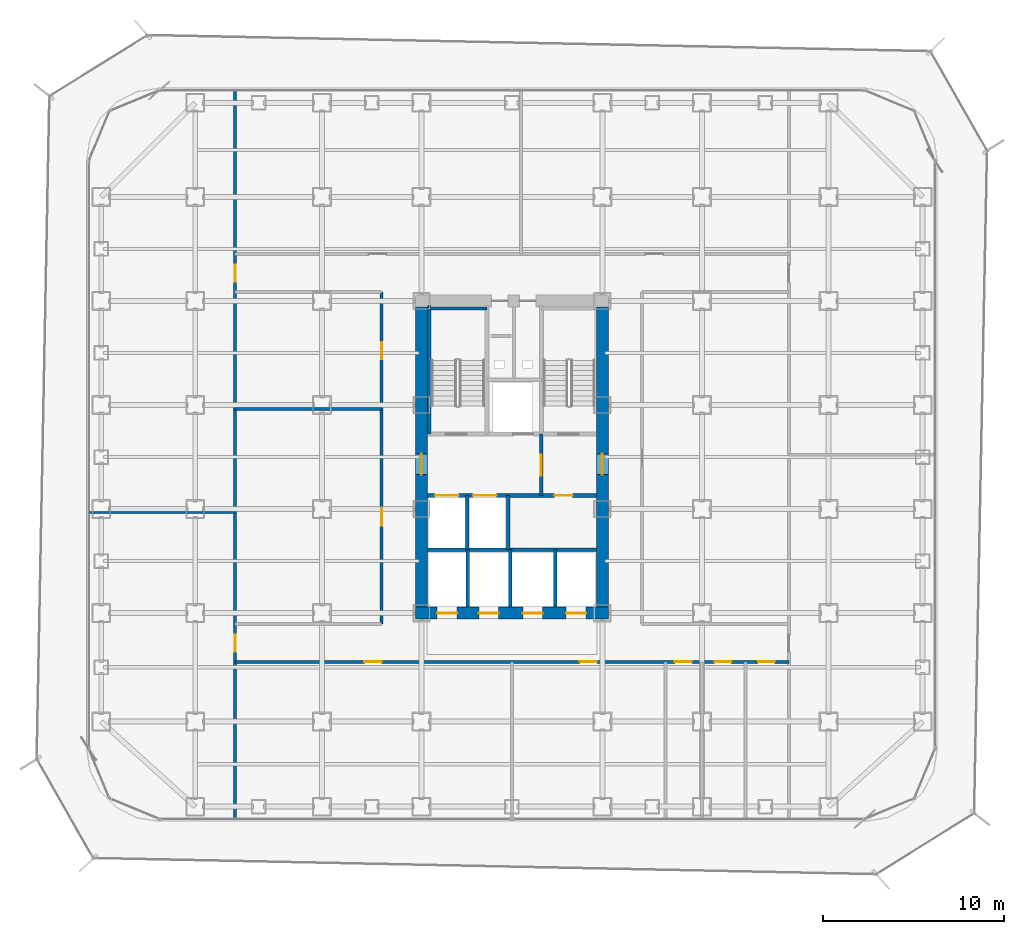
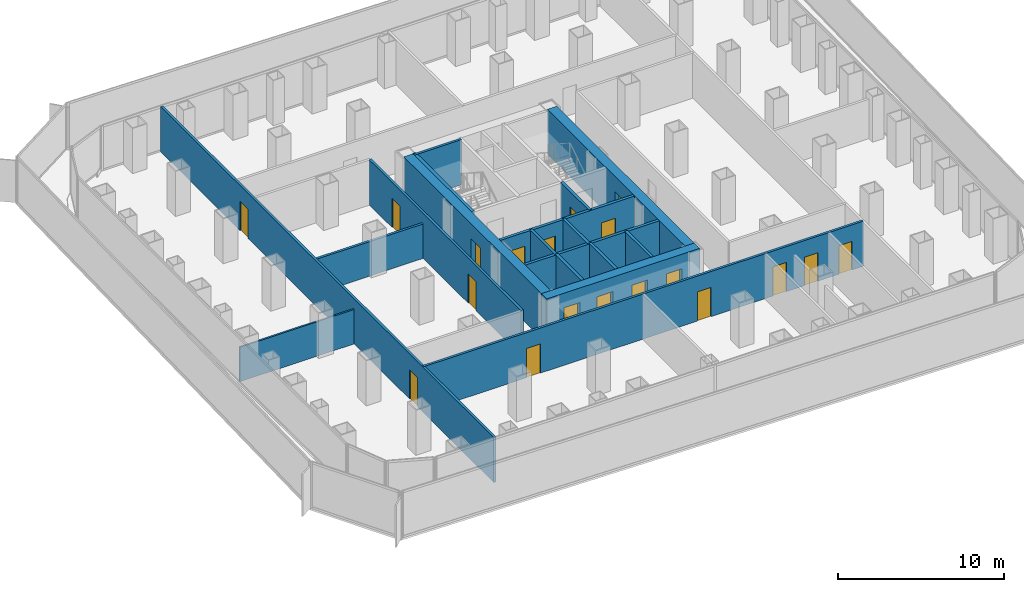
# One storey, part 17 of 21: 19 doors, 18 walls, 19 openings.
"""IFC4 building model written with IfcOpenShell, lengths in metres."""

from ifc_helpers import new_model, si_unit, direction, frame, frame_2d, origin, place, context, subcontext, project, spatial, rectangle, extrude, material, layer, layer_set, type_object, element, fill, save


model = new_model("IFC4")

# Units and contexts
model_context = context("Model", 3, precision=1e-05, world=origin(), true_north=direction((0.0, 1.0)))
body_context = subcontext(model_context, "Body", "Model", "MODEL_VIEW")
ifc_project = project(units=[si_unit("LENGTHUNIT", "METRE"), si_unit("AREAUNIT", "SQUARE_METRE"), si_unit("VOLUMEUNIT", "CUBIC_METRE"), si_unit("PLANEANGLEUNIT", "RADIAN"), si_unit("MASSUNIT", "GRAM", prefix="KILO")], contexts=[model_context])

# Site, building, storey
site_placement = place(None, origin())
site = spatial("IfcSite", under=ifc_project, at=site_placement, CompositionType="ELEMENT")
building_placement = place(site_placement, origin())
building = spatial("IfcBuilding", under=site, at=building_placement, Name="Kolveth Station Tower", CompositionType="ELEMENT")
storey_placement = place(building_placement, frame((0.0, 0.0, 26.10009765625)))
storey = spatial("IfcBuildingStorey", under=building, at=storey_placement, Name="L06", CompositionType="ELEMENT", Elevation=26.10009765625)

# Wall, openings, doors
ifc_material_1 = material(Name="Concrete C60/75", Category="concrete")
ifc_layer_1 = layer(ifc_material_1, 0.64990234375)
ifc_layer_set_1 = layer_set([ifc_layer_1], Name="Concrete C60/75")
wall_type_1 = type_object("IfcWallType", Name="Wall_CW-650", PredefinedType="SHEAR", material=ifc_layer_set_1)
wall_1_placement = place(storey_placement, frame((18.175048828125, 11.5, 0.0), z_axis=(0.0, 0.0, 1.0), x_axis=(1.0, 0.0, 0.0)))
wall_1 = element("IfcWall", 1, at=wall_1_placement, inside=storey, type_object=wall_type_1, Name="L06 Core RC Shear Wall S", PredefinedType="SHEAR", context=body_context, shape_type="SweptSolid", body=[
    extrude(rectangle(XDim=10.64990234375, YDim=0.64990234375, at=frame_2d((5.324951171875, 0.0))), origin(), (0.0, 0.0, 1.0), 3.31982421875),
])
opening_1_placement = place(wall_1_placement, frame((1.195068359375, 0.0, 0.0)))
opening_1 = element("IfcOpeningElement", 2, at=opening_1_placement, cuts=wall_1, Name="Opening LD1", PredefinedType="OPENING", context=body_context, shape_type="SweptSolid", body=[
    extrude(rectangle(XDim=1.10009765625, YDim=2.25, at=frame_2d((0.550048828125, 1.125))), frame((0.0, 0.3349609375, 0.0), z_axis=(0.0, -1.0, 0.0), x_axis=(1.0, 0.0, 0.0)), (0.0, 0.0, 1.0), 0.669921875),
])
opening_2_placement = place(wall_1_placement, frame((3.4951171875, 0.0, 0.0)))
opening_2 = element("IfcOpeningElement", 3, at=opening_2_placement, cuts=wall_1, Name="Opening LD1", PredefinedType="OPENING", context=body_context, shape_type="SweptSolid", body=[
    extrude(rectangle(XDim=1.10009765625, YDim=2.25, at=frame_2d((0.550048828125, 1.125))), frame((0.0, 0.3349609375, 0.0), z_axis=(0.0, -1.0, 0.0), x_axis=(1.0, 0.0, 0.0)), (0.0, 0.0, 1.0), 0.669921875),
])
opening_3_placement = place(wall_1_placement, frame((5.925048828125, 0.0, 0.0)))
opening_3 = element("IfcOpeningElement", 4, at=opening_3_placement, cuts=wall_1, Name="Opening LD1", PredefinedType="OPENING", context=body_context, shape_type="SweptSolid", body=[
    extrude(rectangle(XDim=1.10009765625, YDim=2.25, at=frame_2d((0.550048828125, 1.125))), frame((0.0, 0.3349609375, 0.0), z_axis=(0.0, -1.0, 0.0), x_axis=(1.0, 0.0, 0.0)), (0.0, 0.0, 1.0), 0.669921875),
])
opening_4_placement = place(wall_1_placement, frame((8.324951171875, 0.0, 0.0)))
opening_4 = element("IfcOpeningElement", 5, at=opening_4_placement, cuts=wall_1, Name="Opening LD1", PredefinedType="OPENING", context=body_context, shape_type="SweptSolid", body=[
    extrude(rectangle(XDim=1.10009765625, YDim=2.25, at=frame_2d((0.550048828125, 1.125))), frame((0.0, 0.3349609375, 0.0), z_axis=(0.0, -1.0, 0.0), x_axis=(1.0, 0.0, 0.0)), (0.0, 0.0, 1.0), 0.669921875),
])
ifc_material_2 = material(Name="Brushed stainless steel sliding landing doors", Category="steel")
door_type_1 = type_object("IfcDoorType", Name="Door_LD1", OperationType="NOTDEFINED", PredefinedType="DOOR", material=ifc_material_2)
door_1_placement = place(opening_1_placement, frame((1.10009765625, 0.0, 0.0), z_axis=(0.0, 0.0, 1.0), x_axis=(-1.0, 0.0, 0.0)))
door_1 = element("IfcDoor", 6, at=door_1_placement, inside=storey, type_object=door_type_1, Name="L06 Lift PL1 Landing Door", OperationType="DOUBLE_DOOR_SLIDING", OverallHeight=2.25, OverallWidth=1.10009765625, PredefinedType="DOOR", context=body_context, shape_type="SweptSolid", body=[
    extrude(rectangle(XDim=1.10009765625, YDim=2.25, at=frame_2d((0.550048828125, 1.125))), frame((0.0, 0.02490234375, 0.0), z_axis=(0.0, -1.0, 0.0), x_axis=(1.0, 0.0, 0.0)), (0.0, 0.0, 1.0), 0.050048828125),
])
fill(opening_1, door_1)
door_2_placement = place(opening_2_placement, frame((1.10009765625, 0.0, 0.0), z_axis=(0.0, 0.0, 1.0), x_axis=(-1.0, 0.0, 0.0)))
door_2 = element("IfcDoor", 7, at=door_2_placement, inside=storey, type_object=door_type_1, Name="L06 Lift PL2 Landing Door", OperationType="DOUBLE_DOOR_SLIDING", OverallHeight=2.25, OverallWidth=1.10009765625, PredefinedType="DOOR", context=body_context, shape_type="SweptSolid", body=[
    extrude(rectangle(XDim=1.10009765625, YDim=2.25, at=frame_2d((0.550048828125, 1.125))), frame((0.0, 0.02490234375, 0.0), z_axis=(0.0, -1.0, 0.0), x_axis=(1.0, 0.0, 0.0)), (0.0, 0.0, 1.0), 0.050048828125),
])
fill(opening_2, door_2)
door_3_placement = place(opening_3_placement, frame((1.10009765625, 0.0, 0.0), z_axis=(0.0, 0.0, 1.0), x_axis=(-1.0, 0.0, 0.0)))
door_3 = element("IfcDoor", 8, at=door_3_placement, inside=storey, type_object=door_type_1, Name="L06 Lift PM1 Landing Door", OperationType="DOUBLE_DOOR_SLIDING", OverallHeight=2.25, OverallWidth=1.10009765625, PredefinedType="DOOR", context=body_context, shape_type="SweptSolid", body=[
    extrude(rectangle(XDim=1.10009765625, YDim=2.25, at=frame_2d((0.550048828125, 1.125))), frame((0.0, 0.02490234375, 0.0), z_axis=(0.0, -1.0, 0.0), x_axis=(1.0, 0.0, 0.0)), (0.0, 0.0, 1.0), 0.050048828125),
])
fill(opening_3, door_3)
door_4_placement = place(opening_4_placement, frame((1.10009765625, 0.0, 0.0), z_axis=(0.0, 0.0, 1.0), x_axis=(-1.0, 0.0, 0.0)))
door_4 = element("IfcDoor", 9, at=door_4_placement, inside=storey, type_object=door_type_1, Name="L06 Lift PH1 Landing Door", OperationType="DOUBLE_DOOR_SLIDING", OverallHeight=2.25, OverallWidth=1.10009765625, PredefinedType="DOOR", context=body_context, shape_type="SweptSolid", body=[
    extrude(rectangle(XDim=1.10009765625, YDim=2.25, at=frame_2d((0.550048828125, 1.125))), frame((0.0, 0.02490234375, 0.0), z_axis=(0.0, -1.0, 0.0), x_axis=(1.0, 0.0, 0.0)), (0.0, 0.0, 1.0), 0.050048828125),
])
fill(opening_4, door_4)

# Wall, opening, door
wall_2_placement = place(storey_placement, frame((18.5, 11.824951171875, 0.0), z_axis=(0.0, 0.0, 1.0), x_axis=(0.0, 1.0, 0.0)))
wall_2 = element("IfcWall", 10, at=wall_2_placement, inside=storey, type_object=wall_type_1, Name="L06 Core RC Shear Wall W", PredefinedType="SHEAR", context=body_context, shape_type="SweptSolid", body=[
    extrude(rectangle(XDim=16.60009765625, YDim=0.64990234375, at=frame_2d((8.300048828125, 0.0))), origin(), (0.0, 0.0, 1.0), 3.31982421875),
])
opening_5_placement = place(wall_2_placement, frame((7.324951171875, 0.0, 0.0)))
opening_5 = element("IfcOpeningElement", 11, at=opening_5_placement, cuts=wall_2, Name="Opening FD1", PredefinedType="OPENING", context=body_context, shape_type="SweptSolid", body=[
    extrude(rectangle(XDim=1.14990234375, YDim=2.199951171875, at=frame_2d((0.574951171875, 1.10009765625))), frame((0.0, 0.3349609375, 0.0), z_axis=(0.0, -1.0, 0.0), x_axis=(1.0, 0.0, 0.0)), (0.0, 0.0, 1.0), 0.669921875),
])
ifc_material_3 = material(Name="Fire-rated Steel S355 leaf and frame", Category="steel")
door_type_2 = type_object("IfcDoorType", Name="Door_FD1", OperationType="NOTDEFINED", PredefinedType="DOOR", material=ifc_material_3)
door_5_placement = place(opening_5_placement, frame((1.14990234375, 0.0, 0.0), z_axis=(0.0, 0.0, 1.0), x_axis=(-1.0, 0.0, 0.0)))
door_5 = element("IfcDoor", 12, at=door_5_placement, inside=storey, type_object=door_type_2, Name="L06 West Corridor to Firefighting Lobby Door", OperationType="SINGLE_SWING_LEFT", OverallHeight=2.199951171875, OverallWidth=1.14990234375, PredefinedType="DOOR", context=body_context, shape_type="SweptSolid", body=[
    extrude(rectangle(XDim=1.14990234375, YDim=2.199951171875, at=frame_2d((0.574951171875, 1.10009765625))), frame((0.0, 0.02490234375, 0.0), z_axis=(0.0, -1.0, 0.0), x_axis=(1.0, 0.0, 0.0)), (0.0, 0.0, 1.0), 0.050048828125),
])
fill(opening_5, door_5)

wall_3_placement = place(storey_placement, frame((28.5, 11.824951171875, 0.0), z_axis=(0.0, 0.0, 1.0), x_axis=(0.0, 1.0, 0.0)))
wall_3 = element("IfcWall", 13, at=wall_3_placement, inside=storey, type_object=wall_type_1, Name="L06 Core RC Shear Wall E", PredefinedType="SHEAR", context=body_context, shape_type="SweptSolid", body=[
    extrude(rectangle(XDim=16.60009765625, YDim=0.64990234375, at=frame_2d((8.300048828125, 0.0))), origin(), (0.0, 0.0, 1.0), 3.31982421875),
])
opening_6_placement = place(wall_3_placement, frame((7.324951171875, 0.0, 0.0)))
opening_6 = element("IfcOpeningElement", 14, at=opening_6_placement, cuts=wall_3, Name="Opening FD1", PredefinedType="OPENING", context=body_context, shape_type="SweptSolid", body=[
    extrude(rectangle(XDim=1.14990234375, YDim=2.199951171875, at=frame_2d((0.574951171875, 1.10009765625))), frame((0.0, 0.3349609375, 0.0), z_axis=(0.0, -1.0, 0.0), x_axis=(1.0, 0.0, 0.0)), (0.0, 0.0, 1.0), 0.669921875),
])
door_6_placement = place(opening_6_placement, origin())
door_6 = element("IfcDoor", 15, at=door_6_placement, inside=storey, type_object=door_type_2, Name="L06 East Corridor to Stair Lobby Door", OperationType="SINGLE_SWING_RIGHT", OverallHeight=2.199951171875, OverallWidth=1.14990234375, PredefinedType="DOOR", context=body_context, shape_type="SweptSolid", body=[
    extrude(rectangle(XDim=1.14990234375, YDim=2.199951171875, at=frame_2d((0.574951171875, 1.10009765625))), frame((0.0, 0.02490234375, 0.0), z_axis=(0.0, -1.0, 0.0), x_axis=(1.0, 0.0, 0.0)), (0.0, 0.0, 1.0), 0.050048828125),
])
fill(opening_6, door_6)

# Walls
ifc_material_4 = material(Name="Framed gypsum partition")
ifc_layer_2 = layer(ifc_material_4, 0.114990234375)
ifc_layer_set_2 = layer_set([ifc_layer_2], Name="Framed gypsum partition")
wall_type_2 = type_object("IfcWallType", Name="Wall_IW-115", PredefinedType="PARTITIONING", material=ifc_layer_set_2)
wall_4_placement = place(storey_placement, frame((0.159912109375, 17.050048828125, 0.0), z_axis=(0.0, 0.0, 1.0), x_axis=(1.0, 0.0, 0.0)))
element("IfcWall", 16, at=wall_4_placement, inside=storey, type_object=wall_type_2, Name="L06 Partition Wall WL-L06-OWM", PredefinedType="PARTITIONING", context=body_context, shape_type="SweptSolid", body=[
    extrude(rectangle(XDim=8.0400390625, YDim=0.114990234375, at=frame_2d((4.02001953125, 0.0))), origin(), (0.0, 0.0, 1.0), 2.538818359375),
])
ifc_material_5 = material(Name="Acoustic double-stud gypsum partition")
ifc_layer_3 = layer(ifc_material_5, 0.1650390625)
ifc_layer_set_3 = layer_set([ifc_layer_3], Name="Acoustic double-stud gypsum partition")
wall_type_3 = type_object("IfcWallType", Name="Wall_IW-165", PredefinedType="PARTITIONING", material=ifc_layer_set_3)
wall_5_placement = place(storey_placement, frame((18.8349609375, 28.3349609375, 0.0), z_axis=(0.0, 0.0, 1.0), x_axis=(1.0, 0.0, 0.0)))
element("IfcWall", 17, at=wall_5_placement, inside=storey, type_object=wall_type_3, Name="L06 Stair Shaft Wall WL-L06-ST1-N", PredefinedType="PARTITIONING", context=body_context, shape_type="SweptSolid", body=[
    extrude(rectangle(XDim=3.275146484375, YDim=0.1650390625, at=frame_2d((1.6376953125, 0.0))), origin(), (0.0, 0.0, 1.0), 3.31982421875),
])

# Wall, openings, doors
wall_6_placement = place(storey_placement, frame((8.199951171875, 8.800048828125, 0.0), z_axis=(0.0, 0.0, 1.0), x_axis=(1.0, 0.0, 0.0)))
wall_6 = element("IfcWall", 18, at=wall_6_placement, inside=storey, type_object=wall_type_3, Name="L06 Partition Wall WL-L06-OS", PredefinedType="PARTITIONING", context=body_context, shape_type="SweptSolid", body=[
    extrude(rectangle(XDim=30.60009765625, YDim=0.1650390625, at=frame_2d((15.300048828125, 0.0))), origin(), (0.0, 0.0, 1.0), 3.31982421875),
])
opening_7_placement = place(wall_6_placement, frame((7.14990234375, 0.0, 0.0)))
opening_7 = element("IfcOpeningElement", 19, at=opening_7_placement, cuts=wall_6, Name="Opening ID1", PredefinedType="OPENING", context=body_context, shape_type="SweptSolid", body=[
    extrude(rectangle(XDim=0.949951171875, YDim=2.14990234375, at=frame_2d((0.47509765625, 1.074951171875))), frame((0.0, 0.092529296875, 0.0), z_axis=(0.0, -1.0, 0.0), x_axis=(1.0, 0.0, 0.0)), (0.0, 0.0, 1.0), 0.18505859375),
])
opening_8_placement = place(wall_6_placement, frame((19.050048828125, 0.0, 0.0)))
opening_8 = element("IfcOpeningElement", 20, at=opening_8_placement, cuts=wall_6, Name="Opening ID1", PredefinedType="OPENING", context=body_context, shape_type="SweptSolid", body=[
    extrude(rectangle(XDim=0.949951171875, YDim=2.14990234375, at=frame_2d((0.47509765625, 1.074951171875))), frame((0.0, 0.092529296875, 0.0), z_axis=(0.0, -1.0, 0.0), x_axis=(1.0, 0.0, 0.0)), (0.0, 0.0, 1.0), 0.18505859375),
])
opening_9_placement = place(wall_6_placement, frame((24.300048828125, 0.0, 0.0)))
opening_9 = element("IfcOpeningElement", 21, at=opening_9_placement, cuts=wall_6, Name="Opening ID1", PredefinedType="OPENING", context=body_context, shape_type="SweptSolid", body=[
    extrude(rectangle(XDim=0.949951171875, YDim=2.14990234375, at=frame_2d((0.47509765625, 1.074951171875))), frame((0.0, 0.092529296875, 0.0), z_axis=(0.0, -1.0, 0.0), x_axis=(1.0, 0.0, 0.0)), (0.0, 0.0, 1.0), 0.18505859375),
])
opening_10_placement = place(wall_6_placement, frame((26.5, 0.0, 0.0)))
opening_10 = element("IfcOpeningElement", 22, at=opening_10_placement, cuts=wall_6, Name="Opening ID2", PredefinedType="OPENING", context=body_context, shape_type="SweptSolid", body=[
    extrude(rectangle(XDim=0.919921875, YDim=2.10009765625, at=frame_2d((0.4599609375, 1.050048828125))), frame((0.0, 0.092529296875, 0.0), z_axis=(0.0, -1.0, 0.0), x_axis=(1.0, 0.0, 0.0)), (0.0, 0.0, 1.0), 0.18505859375),
])
opening_11_placement = place(wall_6_placement, frame((28.89990234375, 0.0, 0.0)))
opening_11 = element("IfcOpeningElement", 23, at=opening_11_placement, cuts=wall_6, Name="Opening ID2", PredefinedType="OPENING", context=body_context, shape_type="SweptSolid", body=[
    extrude(rectangle(XDim=0.919921875, YDim=2.10009765625, at=frame_2d((0.4599609375, 1.050048828125))), frame((0.0, 0.092529296875, 0.0), z_axis=(0.0, -1.0, 0.0), x_axis=(1.0, 0.0, 0.0)), (0.0, 0.0, 1.0), 0.18505859375),
])
ifc_material_6 = material(Name="Acoustic hardwood leaf and aluminium frame", Category="wood")
door_type_3 = type_object("IfcDoorType", Name="Door_ID1", OperationType="NOTDEFINED", PredefinedType="DOOR", material=ifc_material_6)
door_7_placement = place(opening_7_placement, frame((0.949951171875, 0.0, 0.0), z_axis=(0.0, 0.0, 1.0), x_axis=(-1.0, 0.0, 0.0)))
door_7 = element("IfcDoor", 24, at=door_7_placement, inside=storey, type_object=door_type_3, Name="L06 Open Plan Office South Door", OperationType="SINGLE_SWING_LEFT", OverallHeight=2.14990234375, OverallWidth=0.949951171875, PredefinedType="DOOR", context=body_context, shape_type="SweptSolid", body=[
    extrude(rectangle(XDim=0.949951171875, YDim=2.14990234375, at=frame_2d((0.47509765625, 1.074951171875))), frame((0.0, 0.02490234375, 0.0), z_axis=(0.0, -1.0, 0.0), x_axis=(1.0, 0.0, 0.0)), (0.0, 0.0, 1.0), 0.050048828125),
])
fill(opening_7, door_7)
door_8_placement = place(opening_8_placement, frame((0.949951171875, 0.0, 0.0), z_axis=(0.0, 0.0, 1.0), x_axis=(-1.0, 0.0, 0.0)))
door_8 = element("IfcDoor", 25, at=door_8_placement, inside=storey, type_object=door_type_3, Name="L06 Boardroom Door", OperationType="SINGLE_SWING_LEFT", OverallHeight=2.14990234375, OverallWidth=0.949951171875, PredefinedType="DOOR", context=body_context, shape_type="SweptSolid", body=[
    extrude(rectangle(XDim=0.949951171875, YDim=2.14990234375, at=frame_2d((0.47509765625, 1.074951171875))), frame((0.0, 0.02490234375, 0.0), z_axis=(0.0, -1.0, 0.0), x_axis=(1.0, 0.0, 0.0)), (0.0, 0.0, 1.0), 0.050048828125),
])
fill(opening_8, door_8)
door_9_placement = place(opening_9_placement, frame((0.949951171875, 0.0, 0.0), z_axis=(0.0, 0.0, 1.0), x_axis=(-1.0, 0.0, 0.0)))
door_9 = element("IfcDoor", 26, at=door_9_placement, inside=storey, type_object=door_type_3, Name="L06 Office Pantry Door", OperationType="SINGLE_SWING_LEFT", OverallHeight=2.14990234375, OverallWidth=0.949951171875, PredefinedType="DOOR", context=body_context, shape_type="SweptSolid", body=[
    extrude(rectangle(XDim=0.949951171875, YDim=2.14990234375, at=frame_2d((0.47509765625, 1.074951171875))), frame((0.0, 0.02490234375, 0.0), z_axis=(0.0, -1.0, 0.0), x_axis=(1.0, 0.0, 0.0)), (0.0, 0.0, 1.0), 0.050048828125),
])
fill(opening_9, door_9)
ifc_material_7 = material(Name="Moisture-resistant hardwood leaf", Category="wood")
door_type_4 = type_object("IfcDoorType", Name="Door_ID2", OperationType="NOTDEFINED", PredefinedType="DOOR", material=ifc_material_7)
door_10_placement = place(opening_10_placement, frame((0.919921875, 0.0, 0.0), z_axis=(0.0, 0.0, 1.0), x_axis=(-1.0, 0.0, 0.0)))
door_10 = element("IfcDoor", 27, at=door_10_placement, inside=storey, type_object=door_type_4, Name="L06 Male Toilet Door", OperationType="SINGLE_SWING_RIGHT", OverallHeight=2.10009765625, OverallWidth=0.919921875, PredefinedType="DOOR", context=body_context, shape_type="SweptSolid", body=[
    extrude(rectangle(XDim=0.919921875, YDim=2.10009765625, at=frame_2d((0.4599609375, 1.050048828125))), frame((0.0, 0.02490234375, 0.0), z_axis=(0.0, -1.0, 0.0), x_axis=(1.0, 0.0, 0.0)), (0.0, 0.0, 1.0), 0.050048828125),
])
fill(opening_10, door_10)
door_11_placement = place(opening_11_placement, frame((0.919921875, 0.0, 0.0), z_axis=(0.0, 0.0, 1.0), x_axis=(-1.0, 0.0, 0.0)))
door_11 = element("IfcDoor", 28, at=door_11_placement, inside=storey, type_object=door_type_4, Name="L06 Accessible WC Door", OperationType="SINGLE_SWING_LEFT", OverallHeight=2.10009765625, OverallWidth=0.919921875, PredefinedType="DOOR", context=body_context, shape_type="SweptSolid", body=[
    extrude(rectangle(XDim=0.919921875, YDim=2.10009765625, at=frame_2d((0.4599609375, 1.050048828125))), frame((0.0, 0.02490234375, 0.0), z_axis=(0.0, -1.0, 0.0), x_axis=(1.0, 0.0, 0.0)), (0.0, 0.0, 1.0), 0.050048828125),
])
fill(opening_11, door_11)

wall_7_placement = place(storey_placement, frame((16.300048828125, 10.89990234375, 0.0), z_axis=(0.0, 0.0, 1.0), x_axis=(0.0, 1.0, 0.0)))
wall_7 = element("IfcWall", 29, at=wall_7_placement, inside=storey, type_object=wall_type_3, Name="L06 Partition Wall WL-L06-OCW", PredefinedType="PARTITIONING", context=body_context, shape_type="SweptSolid", body=[
    extrude(rectangle(XDim=18.35009765625, YDim=0.1650390625, at=frame_2d((9.175048828125, 0.0))), origin(), (0.0, 0.0, 1.0), 3.31982421875),
])
opening_12_placement = place(wall_7_placement, frame((5.43994140625, 0.0, 0.0)))
opening_12 = element("IfcOpeningElement", 30, at=opening_12_placement, cuts=wall_7, Name="Opening ID1", PredefinedType="OPENING", context=body_context, shape_type="SweptSolid", body=[
    extrude(rectangle(XDim=0.949951171875, YDim=2.14990234375, at=frame_2d((0.47509765625, 1.074951171875))), frame((0.0, 0.092529296875, 0.0), z_axis=(0.0, -1.0, 0.0), x_axis=(1.0, 0.0, 0.0)), (0.0, 0.0, 1.0), 0.18505859375),
])
opening_13_placement = place(wall_7_placement, frame((14.615966796875, 0.0, 0.0)))
opening_13 = element("IfcOpeningElement", 31, at=opening_13_placement, cuts=wall_7, Name="Opening ID1", PredefinedType="OPENING", context=body_context, shape_type="SweptSolid", body=[
    extrude(rectangle(XDim=0.949951171875, YDim=2.14990234375, at=frame_2d((0.47509765625, 1.074951171875))), frame((0.0, 0.092529296875, 0.0), z_axis=(0.0, -1.0, 0.0), x_axis=(1.0, 0.0, 0.0)), (0.0, 0.0, 1.0), 0.18505859375),
])
door_12_placement = place(opening_12_placement, frame((0.949951171875, 0.0, 0.0), z_axis=(0.0, 0.0, 1.0), x_axis=(-1.0, 0.0, 0.0)))
door_12 = element("IfcDoor", 32, at=door_12_placement, inside=storey, type_object=door_type_3, Name="L06 Internal Meeting Room W1 Door", OperationType="SINGLE_SWING_LEFT", OverallHeight=2.14990234375, OverallWidth=0.949951171875, PredefinedType="DOOR", context=body_context, shape_type="SweptSolid", body=[
    extrude(rectangle(XDim=0.949951171875, YDim=2.14990234375, at=frame_2d((0.47509765625, 1.074951171875))), frame((0.0, 0.02490234375, 0.0), z_axis=(0.0, -1.0, 0.0), x_axis=(1.0, 0.0, 0.0)), (0.0, 0.0, 1.0), 0.050048828125),
])
fill(opening_12, door_12)
door_13_placement = place(opening_13_placement, frame((0.949951171875, 0.0, 0.0), z_axis=(0.0, 0.0, 1.0), x_axis=(-1.0, 0.0, 0.0)))
door_13 = element("IfcDoor", 33, at=door_13_placement, inside=storey, type_object=door_type_3, Name="L06 Print and Archive Room Door", OperationType="SINGLE_SWING_LEFT", OverallHeight=2.14990234375, OverallWidth=0.949951171875, PredefinedType="DOOR", context=body_context, shape_type="SweptSolid", body=[
    extrude(rectangle(XDim=0.949951171875, YDim=2.14990234375, at=frame_2d((0.47509765625, 1.074951171875))), frame((0.0, 0.02490234375, 0.0), z_axis=(0.0, -1.0, 0.0), x_axis=(1.0, 0.0, 0.0)), (0.0, 0.0, 1.0), 0.050048828125),
])
fill(opening_13, door_13)

wall_8_placement = place(storey_placement, frame((8.199951171875, 0.159912109375, 0.0), z_axis=(0.0, 0.0, 1.0), x_axis=(0.0, 1.0, 0.0)))
wall_8 = element("IfcWall", 34, at=wall_8_placement, inside=storey, type_object=wall_type_3, Name="L06 Partition Wall WL-L06-OWEND", PredefinedType="PARTITIONING", context=body_context, shape_type="SweptSolid", body=[
    extrude(rectangle(XDim=40.18017578125, YDim=0.1650390625, at=frame_2d((20.090087890625, 0.0))), origin(), (0.0, 0.0, 1.0), 3.31982421875),
])
opening_14_placement = place(wall_8_placement, frame((9.18994140625, 0.0, 0.0)))
opening_14 = element("IfcOpeningElement", 35, at=opening_14_placement, cuts=wall_8, Name="Opening ID1", PredefinedType="OPENING", context=body_context, shape_type="SweptSolid", body=[
    extrude(rectangle(XDim=0.949951171875, YDim=2.14990234375, at=frame_2d((0.47509765625, 1.074951171875))), frame((0.0, 0.092529296875, 0.0), z_axis=(0.0, -1.0, 0.0), x_axis=(1.0, 0.0, 0.0)), (0.0, 0.0, 1.0), 0.18505859375),
])
opening_15_placement = place(wall_8_placement, frame((29.639892578125, 0.0, 0.0)))
opening_15 = element("IfcOpeningElement", 36, at=opening_15_placement, cuts=wall_8, Name="Opening ID1", PredefinedType="OPENING", context=body_context, shape_type="SweptSolid", body=[
    extrude(rectangle(XDim=0.949951171875, YDim=2.14990234375, at=frame_2d((0.47509765625, 1.074951171875))), frame((0.0, 0.092529296875, 0.0), z_axis=(0.0, -1.0, 0.0), x_axis=(1.0, 0.0, 0.0)), (0.0, 0.0, 1.0), 0.18505859375),
])
door_14_placement = place(opening_14_placement, frame((0.949951171875, 0.0, 0.0), z_axis=(0.0, 0.0, 1.0), x_axis=(-1.0, 0.0, 0.0)))
door_14 = element("IfcDoor", 37, at=door_14_placement, inside=storey, type_object=door_type_3, Name="L06 West-South Wing Door", OperationType="SINGLE_SWING_RIGHT", OverallHeight=2.14990234375, OverallWidth=0.949951171875, PredefinedType="DOOR", context=body_context, shape_type="SweptSolid", body=[
    extrude(rectangle(XDim=0.949951171875, YDim=2.14990234375, at=frame_2d((0.47509765625, 1.074951171875))), frame((0.0, 0.02490234375, 0.0), z_axis=(0.0, -1.0, 0.0), x_axis=(1.0, 0.0, 0.0)), (0.0, 0.0, 1.0), 0.050048828125),
])
fill(opening_14, door_14)
door_15_placement = place(opening_15_placement, frame((0.949951171875, 0.0, 0.0), z_axis=(0.0, 0.0, 1.0), x_axis=(-1.0, 0.0, 0.0)))
door_15 = element("IfcDoor", 38, at=door_15_placement, inside=storey, type_object=door_type_3, Name="L06 West-North Wing Door", OperationType="SINGLE_SWING_LEFT", OverallHeight=2.14990234375, OverallWidth=0.949951171875, PredefinedType="DOOR", context=body_context, shape_type="SweptSolid", body=[
    extrude(rectangle(XDim=0.949951171875, YDim=2.14990234375, at=frame_2d((0.47509765625, 1.074951171875))), frame((0.0, 0.02490234375, 0.0), z_axis=(0.0, -1.0, 0.0), x_axis=(1.0, 0.0, 0.0)), (0.0, 0.0, 1.0), 0.050048828125),
])
fill(opening_15, door_15)

# Wall
wall_9_placement = place(storey_placement, frame((8.199951171875, 22.781005859375, 0.0), z_axis=(0.0, 0.0, 1.0), x_axis=(1.0, 0.0, 0.0)))
element("IfcWall", 39, at=wall_9_placement, inside=storey, type_object=wall_type_3, Name="L06 Partition Wall WL-L06-OIW-P1", PredefinedType="PARTITIONING", context=body_context, shape_type="SweptSolid", body=[
    extrude(rectangle(XDim=8.10009765625, YDim=0.1650390625, at=frame_2d((4.050048828125, 0.0))), origin(), (0.0, 0.0, 1.0), 2.538818359375),
])

# Wall, opening, door
ifc_material_8 = material(Name="Acoustic fire-rated gypsum blockwork", Category="masonry")
ifc_layer_4 = layer(ifc_material_8, 0.199951171875)
ifc_layer_set_4 = layer_set([ifc_layer_4], Name="Acoustic fire-rated gypsum blockwork")
wall_type_4 = type_object("IfcWallType", Name="Wall_IW-200", PredefinedType="PARTITIONING", material=ifc_layer_set_4)
wall_10_placement = place(storey_placement, frame((25.1298828125, 18.0, 0.0), z_axis=(0.0, 0.0, 1.0), x_axis=(0.0, 1.0, 0.0)))
wall_10 = element("IfcWall", 40, at=wall_10_placement, inside=storey, type_object=wall_type_4, Name="L06 Partition Wall WL-L06-FFL-E", PredefinedType="PARTITIONING", context=body_context, shape_type="SweptSolid", body=[
    extrude(rectangle(XDim=3.389892578125, YDim=0.199951171875, at=frame_2d((1.69482421875, 0.0))), origin(), (0.0, 0.0, 1.0), 3.31982421875),
])
opening_16_placement = place(wall_10_placement, frame((1.10009765625, 0.0, 0.0)))
opening_16 = element("IfcOpeningElement", 41, at=opening_16_placement, cuts=wall_10, Name="Opening FD1", PredefinedType="OPENING", context=body_context, shape_type="SweptSolid", body=[
    extrude(rectangle(XDim=1.14990234375, YDim=2.199951171875, at=frame_2d((0.574951171875, 1.10009765625))), frame((0.0, 0.10986328125, 0.0), z_axis=(0.0, -1.0, 0.0), x_axis=(1.0, 0.0, 0.0)), (0.0, 0.0, 1.0), 0.219970703125),
])
door_16_placement = place(opening_16_placement, origin())
door_16 = element("IfcDoor", 42, at=door_16_placement, inside=storey, type_object=door_type_2, Name="L06 Firefighting to Stair Lobby Door", OperationType="SINGLE_SWING_LEFT", OverallHeight=2.199951171875, OverallWidth=1.14990234375, PredefinedType="DOOR", context=body_context, shape_type="SweptSolid", body=[
    extrude(rectangle(XDim=1.14990234375, YDim=2.199951171875, at=frame_2d((0.574951171875, 1.10009765625))), frame((0.0, 0.02490234375, 0.0), z_axis=(0.0, -1.0, 0.0), x_axis=(1.0, 0.0, 0.0)), (0.0, 0.0, 1.0), 0.050048828125),
])
fill(opening_16, door_16)

# Wall, openings, doors
wall_11_placement = place(storey_placement, frame((18.8349609375, 18.0, 0.0), z_axis=(0.0, 0.0, 1.0), x_axis=(1.0, 0.0, 0.0)))
wall_11 = element("IfcWall", 43, at=wall_11_placement, inside=storey, type_object=wall_type_4, Name="L06 Partition Wall WL-L06-FFL-S", PredefinedType="PARTITIONING", context=body_context, shape_type="SweptSolid", body=[
    extrude(rectangle(XDim=9.330078125, YDim=0.199951171875, at=frame_2d((4.6650390625, 0.0))), origin(), (0.0, 0.0, 1.0), 3.31982421875),
])
opening_17_placement = place(wall_11_placement, frame((0.4150390625, 0.0, 0.0)))
opening_17 = element("IfcOpeningElement", 44, at=opening_17_placement, cuts=wall_11, Name="Opening LD2", PredefinedType="OPENING", context=body_context, shape_type="SweptSolid", body=[
    extrude(rectangle(XDim=1.300048828125, YDim=2.300048828125, at=frame_2d((0.64990234375, 1.14990234375))), frame((0.0, 0.10986328125, 0.0), z_axis=(0.0, -1.0, 0.0), x_axis=(1.0, 0.0, 0.0)), (0.0, 0.0, 1.0), 0.219970703125),
])
opening_18_placement = place(wall_11_placement, frame((2.514892578125, 0.0, 0.0)))
opening_18 = element("IfcOpeningElement", 45, at=opening_18_placement, cuts=wall_11, Name="Opening LD2", PredefinedType="OPENING", context=body_context, shape_type="SweptSolid", body=[
    extrude(rectangle(XDim=1.300048828125, YDim=2.300048828125, at=frame_2d((0.64990234375, 1.14990234375))), frame((0.0, 0.10986328125, 0.0), z_axis=(0.0, -1.0, 0.0), x_axis=(1.0, 0.0, 0.0)), (0.0, 0.0, 1.0), 0.219970703125),
])
opening_19_placement = place(wall_11_placement, frame((7.014892578125, 0.0, 0.0)))
opening_19 = element("IfcOpeningElement", 46, at=opening_19_placement, cuts=wall_11, Name="Opening FD3", PredefinedType="OPENING", context=body_context, shape_type="SweptSolid", body=[
    extrude(rectangle(XDim=1.0, YDim=2.14990234375, at=frame_2d((0.5, 1.074951171875))), frame((0.0, 0.10986328125, 0.0), z_axis=(0.0, -1.0, 0.0), x_axis=(1.0, 0.0, 0.0)), (0.0, 0.0, 1.0), 0.219970703125),
])
ifc_material_9 = material(Name="Fire-rated hardwood leaf and aluminium frame", Category="wood")
door_type_5 = type_object("IfcDoorType", Name="Door_FD3", OperationType="NOTDEFINED", PredefinedType="DOOR", material=ifc_material_9)
door_17_placement = place(opening_19_placement, frame((1.0, 0.0, 0.0), z_axis=(0.0, 0.0, 1.0), x_axis=(-1.0, 0.0, 0.0)))
door_17 = element("IfcDoor", 47, at=door_17_placement, inside=storey, type_object=door_type_5, Name="L06 Core Staff Pantry Door", OperationType="SINGLE_SWING_RIGHT", OverallHeight=2.14990234375, OverallWidth=1.0, PredefinedType="DOOR", context=body_context, shape_type="SweptSolid", body=[
    extrude(rectangle(XDim=1.0, YDim=2.14990234375, at=frame_2d((0.5, 1.074951171875))), frame((0.0, 0.02490234375, 0.0), z_axis=(0.0, -1.0, 0.0), x_axis=(1.0, 0.0, 0.0)), (0.0, 0.0, 1.0), 0.050048828125),
])
fill(opening_19, door_17)
ifc_material_10 = material(Name="Firefighting stainless steel sliding landing doors", Category="steel")
door_type_6 = type_object("IfcDoorType", Name="Door_LD2", OperationType="NOTDEFINED", PredefinedType="DOOR", material=ifc_material_10)
door_18_placement = place(opening_17_placement, origin())
door_18 = element("IfcDoor", 48, at=door_18_placement, inside=storey, type_object=door_type_6, Name="L06 Firefighting Lift FF1 Landing Door", OperationType="DOUBLE_DOOR_SLIDING", OverallHeight=2.300048828125, OverallWidth=1.300048828125, PredefinedType="DOOR", context=body_context, shape_type="SweptSolid", body=[
    extrude(rectangle(XDim=1.300048828125, YDim=2.300048828125, at=frame_2d((0.64990234375, 1.14990234375))), frame((0.0, 0.02490234375, 0.0), z_axis=(0.0, -1.0, 0.0), x_axis=(1.0, 0.0, 0.0)), (0.0, 0.0, 1.0), 0.050048828125),
])
fill(opening_17, door_18)
door_19_placement = place(opening_18_placement, origin())
door_19 = element("IfcDoor", 49, at=door_19_placement, inside=storey, type_object=door_type_6, Name="L06 Firefighting Lift FF2 Landing Door", OperationType="DOUBLE_DOOR_SLIDING", OverallHeight=2.300048828125, OverallWidth=1.300048828125, PredefinedType="DOOR", context=body_context, shape_type="SweptSolid", body=[
    extrude(rectangle(XDim=1.300048828125, YDim=2.300048828125, at=frame_2d((0.64990234375, 1.14990234375))), frame((0.0, 0.02490234375, 0.0), z_axis=(0.0, -1.0, 0.0), x_axis=(1.0, 0.0, 0.0)), (0.0, 0.0, 1.0), 0.050048828125),
])
fill(opening_18, door_19)

# Walls
for number, where, z_axis, x_axis, name in (
    (50, (21.02001953125, 15.0, 0.0), (0.0, 0.0, 1.0), (0.0, 1.0, 0.0), "L06 Partition Wall WL-L06-FF12"),
    (51, (23.300048828125, 15.0, 0.0), (0.0, 0.0, 1.0), (0.0, 1.0, 0.0), "L06 Partition Wall WL-L06-FF2E"),
):
    element("IfcWall", number, at=place(storey_placement, frame(where, z_axis=z_axis, x_axis=x_axis)), inside=storey, type_object=wall_type_4, Name=name, PredefinedType="PARTITIONING", context=body_context, shape_type="SweptSolid", body=[
        extrude(rectangle(XDim=3.0, YDim=0.199951171875, at=frame_2d((1.5, 0.0))), origin(), (0.0, 0.0, 1.0), 3.31982421875),
    ])
wall_12_placement = place(storey_placement, frame((18.8349609375, 15.0, 0.0), z_axis=(0.0, 0.0, 1.0), x_axis=(1.0, 0.0, 0.0)))
element("IfcWall", 52, at=wall_12_placement, inside=storey, type_object=wall_type_4, Name="L06 Partition Wall WL-L06-BOH-S", PredefinedType="PARTITIONING", context=body_context, shape_type="SweptSolid", body=[
    extrude(rectangle(XDim=9.330078125, YDim=0.199951171875, at=frame_2d((4.6650390625, 0.0))), origin(), (0.0, 0.0, 1.0), 3.31982421875),
])
for number, where, z_axis, x_axis, name in (
    (53, (21.050048828125, 11.8349609375, 0.0), (0.0, 0.0, 1.0), (0.0, 1.0, 0.0), "L06 Partition Wall WL-L06-PL12"),
    (54, (23.39990234375, 11.8349609375, 0.0), (0.0, 0.0, 1.0), (0.0, 1.0, 0.0), "L06 Partition Wall WL-L06-PL2E"),
    (55, (25.89990234375, 11.8349609375, 0.0), (0.0, 0.0, 1.0), (0.0, 1.0, 0.0), "L06 Partition Wall WL-L06-PMPH"),
):
    element("IfcWall", number, at=place(storey_placement, frame(where, z_axis=z_axis, x_axis=x_axis)), inside=storey, type_object=wall_type_4, Name=name, PredefinedType="PARTITIONING", context=body_context, shape_type="SweptSolid", body=[
        extrude(rectangle(XDim=3.1650390625, YDim=0.199951171875, at=frame_2d((1.58251953125, 0.0))), origin(), (0.0, 0.0, 1.0), 3.31982421875),
    ])
ifc_material_11 = material(Name="Concrete C40/50", Category="concrete")
ifc_layer_5 = layer(ifc_material_11, 0.219970703125)
ifc_layer_set_5 = layer_set([ifc_layer_5], Name="Concrete C40/50")
wall_type_5 = type_object("IfcWallType", Name="Wall_IW-220", PredefinedType="SOLIDWALL", material=ifc_layer_set_5)
wall_13_placement = place(storey_placement, frame((18.929931640625, 21.389892578125, 0.0), z_axis=(0.0, 0.0, 1.0), x_axis=(0.0, 1.0, 0.0)))
element("IfcWall", 56, at=wall_13_placement, inside=storey, type_object=wall_type_5, Name="L06 Stair Shaft Wall WL-L06-ST1-W", PredefinedType="SOLIDWALL", context=body_context, shape_type="SweptSolid", body=[
    extrude(rectangle(XDim=7.110107421875, YDim=0.219970703125, at=frame_2d((3.55517578125, 0.0))), origin(), (0.0, 0.0, 1.0), 3.31982421875),
])

save(model, "model.ifc")
